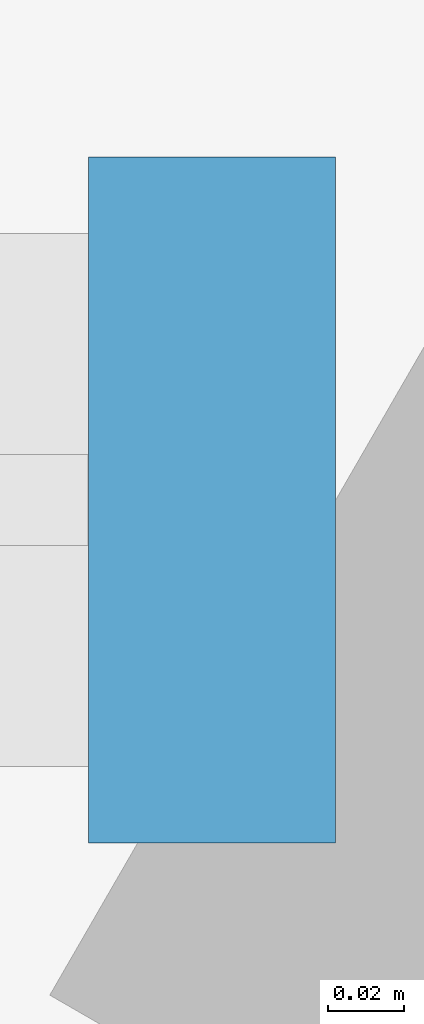
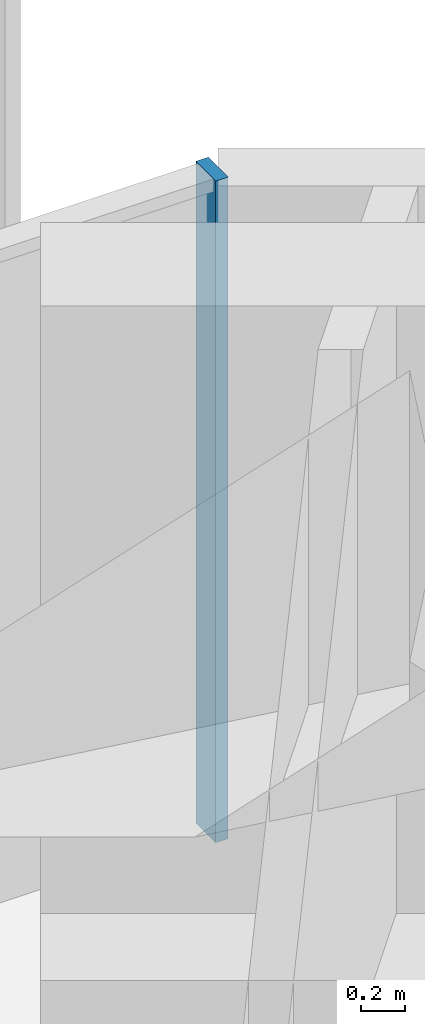
# One storey, part 247 of 256: 1 member, 1 element without a shape of its own.
"""IFC4 building model written with IfcOpenShell, lengths in metres."""

from ifc_helpers import new_model, si_unit, direction, frame, origin, origin_2d, place, context, subcontext, project, spatial, rectangle, extrude, material, material_profile, profile_set, type_object, element, aggregate, save


model = new_model("IFC4")

# Units and contexts
model_context = context("Model", 3, precision=1e-05, world=origin(), true_north=direction((0.0, 1.0)))
body_context = subcontext(model_context, "Body", "Model", "MODEL_VIEW")
ifc_project = project(units=[si_unit("LENGTHUNIT", "METRE"), si_unit("AREAUNIT", "SQUARE_METRE"), si_unit("VOLUMEUNIT", "CUBIC_METRE"), si_unit("PLANEANGLEUNIT", "RADIAN"), si_unit("MASSUNIT", "GRAM", prefix="KILO")], contexts=[model_context])

# Site, building, storey
site_placement = place(None, origin())
site = spatial("IfcSite", under=ifc_project, at=site_placement, CompositionType="ELEMENT")
building_placement = place(site_placement, origin())
building = spatial("IfcBuilding", under=site, at=building_placement, Name="Sandreach Pilgrim Tower", CompositionType="ELEMENT")
storey_placement = place(building_placement, frame((0.0, 0.0, 23.0)))
storey = spatial("IfcBuildingStorey", under=building, at=storey_placement, Name="L04", CompositionType="ELEMENT", Elevation=23.0)

# Curtain wall, member
ifc_material_1 = material(Name="Aluminium framed curtain wall", Category="aluminium")
curtain_wall_type = type_object("IfcCurtainWallType", Name="Hostel tower curtain wall", PredefinedType="NOTDEFINED", material=ifc_material_1)
curtain_wall_placement = place(storey_placement, origin())
curtain_wall = element("IfcCurtainWall", 1, at=curtain_wall_placement, inside=storey, type_object=curtain_wall_type, Name="CW-1 L04 N", PredefinedType="NOTDEFINED")
ifc_material_2 = material(Name="Aluminium extrusion", Category="aluminium")
ifc_material_profile = material_profile(ifc_material_2, rectangle(XDim=0.06494140625, YDim=0.179931640625, at=origin_2d()), Name="CW-1M 65X180")
ifc_profile_set = profile_set([ifc_material_profile], Name="Aluminium extrusion")
member_type = type_object("IfcMemberType", Name="CW-1 mullion", PredefinedType="MULLION", material=ifc_profile_set)
member_placement = place(storey_placement, frame((19.6396484375, 23.94873046875, 0.0), z_axis=(0.0, 0.0, 1.0), x_axis=(1.0, 0.0, 0.0)))
member = element("IfcMember", 2, at=member_placement, type_object=member_type, Name="CW-1 mullion 10", PredefinedType="MULLION", context=body_context, shape_type="SweptSolid", body=[
    extrude(rectangle(XDim=0.06494140625, YDim=0.179931640625, at=origin_2d()), origin(), (0.0, 0.0, 1.0), 3.639892578125),
])
aggregate(curtain_wall, [member])

save(model, "model.ifc")
